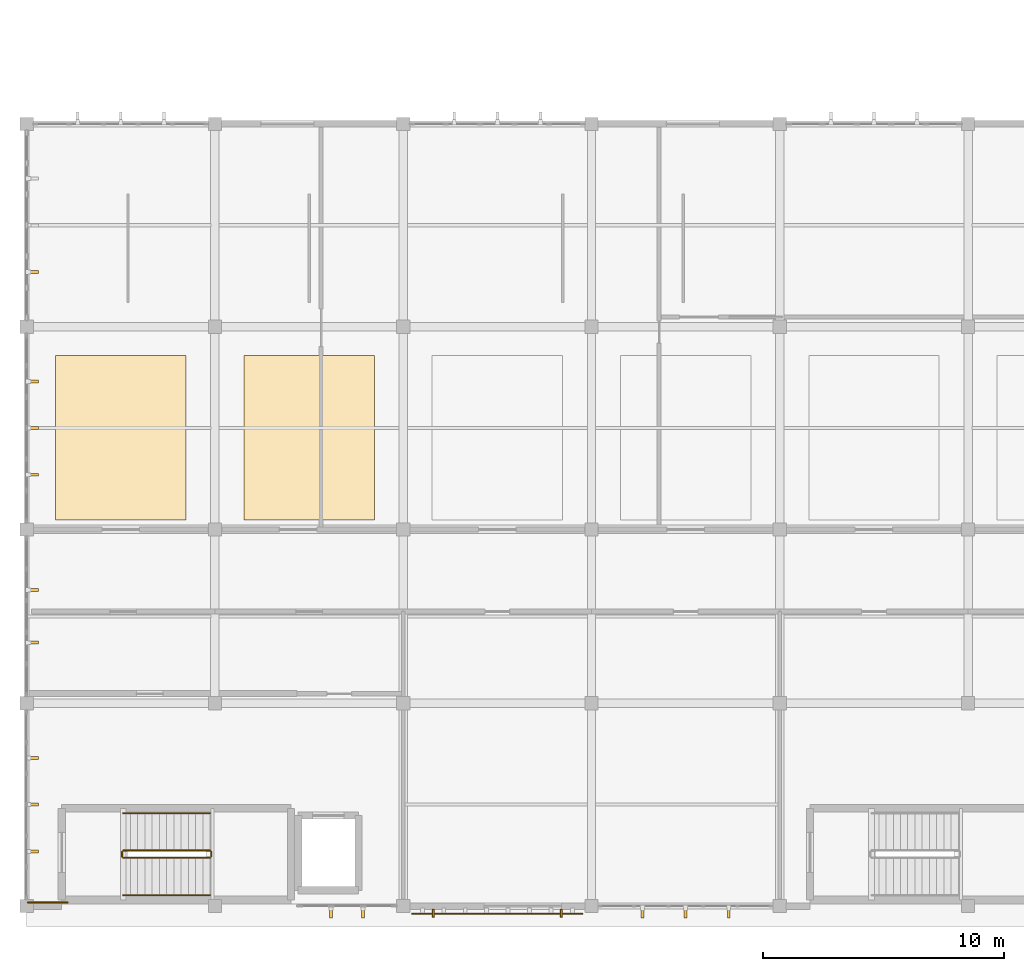
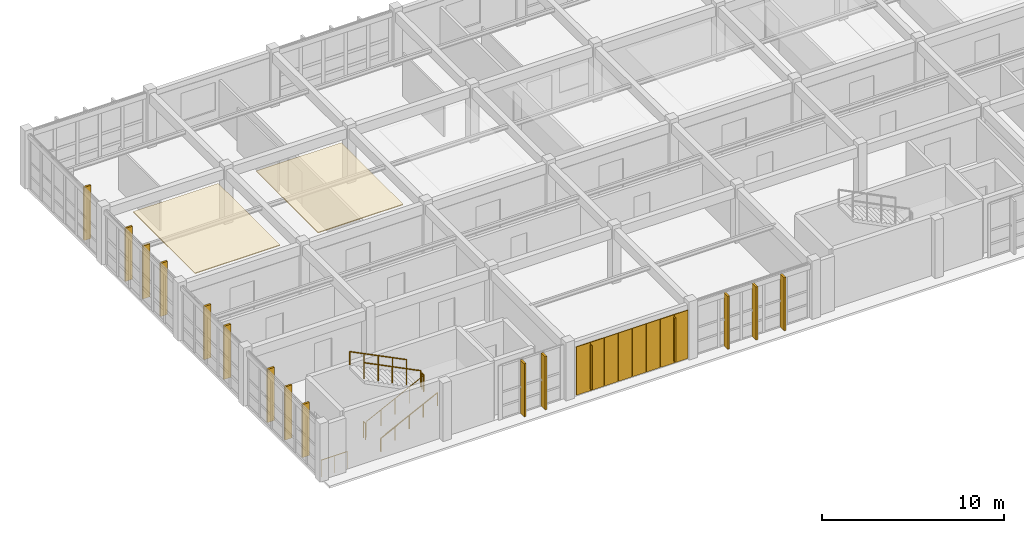
# One storey, part 29 of 35: 24 coverings, 7 railings, 2 shading devices.
"""IFC4 building model written with IfcOpenShell, lengths in metres."""

from ifc_helpers import new_model, si_unit, direction, frame, origin, origin_2d, place, context, subcontext, project, spatial, polyline, rectangle, circle, outline, extrude, material, layer, layer_set, type_object, element, save


model = new_model("IFC4")

# Units and contexts
model_context = context("Model", 3, precision=1e-05, world=origin(), true_north=direction((0.0, 1.0)))
body_context = subcontext(model_context, "Body", "Model", "MODEL_VIEW")
ifc_project = project(units=[si_unit("LENGTHUNIT", "METRE"), si_unit("AREAUNIT", "SQUARE_METRE"), si_unit("VOLUMEUNIT", "CUBIC_METRE"), si_unit("PLANEANGLEUNIT", "RADIAN"), si_unit("MASSUNIT", "GRAM", prefix="KILO")], contexts=[model_context])

# Site, building, storey
site_placement = place(None, origin())
site = spatial("IfcSite", under=ifc_project, at=site_placement, CompositionType="ELEMENT")
building_placement = place(site_placement, origin())
building = spatial("IfcBuilding", under=site, at=building_placement, Name="Tizgana Railside Sports Hall", CompositionType="ELEMENT")
storey_placement = place(building_placement, frame((0.0, 0.0, 15.89990234375)))
storey = spatial("IfcBuildingStorey", under=building, at=storey_placement, Name="L03", CompositionType="ELEMENT", Elevation=15.89990234375)

# Shading devices
ifc_material_1 = material(Name="Glulam GL28h", Category="wood")
shading_device_type = type_object("IfcShadingDeviceType", Name="Glulam Vertical Brise-Soleil Fin 320", PredefinedType="JALOUSIE", material=ifc_material_1)
for number, where, z_axis, x_axis, name in (
    (1, (29.949951171875, -0.2939453125, 0.35009765625), (0.0, 0.0, 1.0), (-1.0, 0.0, 0.0), "L03 Glulam Fin FIN-0047"),
    (2, (24.64990234375, -0.2939453125, 0.35009765625), (0.0, 0.0, 1.0), (-1.0, 0.0, 0.0), "L03 Glulam Fin FIN-0048"),
):
    element("IfcShadingDevice", number, at=place(storey_placement, frame(where, z_axis=z_axis, x_axis=x_axis)), inside=storey, type_object=shading_device_type, Name=name, PredefinedType="JALOUSIE", context=body_context, shape_type="SweptSolid", body=[
        extrude(rectangle(XDim=0.080078125, YDim=0.320068359375, at=origin_2d()), origin(), (0.0, 0.0, 1.0), 2.93994140625),
    ])

# Coverings
ifc_layer_1 = layer(ifc_material_1, 0.139892578125, Name="Glulam GL28h")
ifc_layer_set_1 = layer_set([ifc_layer_1], Name="Glulam GL28h")
covering_type_1 = type_object("IfcCoveringType", Name="Mass-Timber Brise-Soleil & Pergola Fin", PredefinedType="CLADDING", material=ifc_layer_set_1)
for number, where, z_axis, x_axis, name in (
    (3, (21.739990234375, -0.280029296875, 0.0400390625), (0.0, 0.0, 1.0), (-1.0, 0.0, 0.0), "L03 Timber Brise-Soleil Fin"),
    (4, (20.409912109375, -0.280029296875, 0.0400390625), (0.0, 0.0, 1.0), (-1.0, 0.0, 0.0), "L03 Timber Brise-Soleil Fin"),
    (5, (36.885009765625, -0.280029296875, 0.0400390625), (0.0, 0.0, 1.0), (-1.0, 0.0, 0.0), "L03 Timber Brise-Soleil Fin"),
    (6, (35.10009765625, -0.280029296875, 0.0400390625), (0.0, 0.0, 1.0), (-1.0, 0.0, 0.0), "L03 Timber Brise-Soleil Fin"),
    (7, (33.31494140625, -0.280029296875, 0.0400390625), (0.0, 0.0, 1.0), (-1.0, 0.0, 0.0), "L03 Timber Brise-Soleil Fin"),
    (8, (8.080078125, 6.135009765625, 0.0400390625), (0.0, 0.0, 1.0), (0.0, -1.0, 0.0), "L03 Timber Brise-Soleil Fin"),
    (9, (8.080078125, 4.199951171875, 0.0400390625), (0.0, 0.0, 1.0), (0.0, -1.0, 0.0), "L03 Timber Brise-Soleil Fin"),
    (10, (8.080078125, 2.264892578125, 0.0400390625), (0.0, 0.0, 1.0), (0.0, -1.0, 0.0), "L03 Timber Brise-Soleil Fin"),
    (11, (8.080078125, 13.090087890625, 0.0400390625), (0.0, 0.0, 1.0), (0.0, -1.0, 0.0), "L03 Timber Brise-Soleil Fin"),
    (12, (8.080078125, 10.909912109375, 0.0400390625), (0.0, 0.0, 1.0), (0.0, -1.0, 0.0), "L03 Timber Brise-Soleil Fin"),
    (13, (8.080078125, 21.735107421875, 0.0400390625), (0.0, 0.0, 1.0), (0.0, -1.0, 0.0), "L03 Timber Brise-Soleil Fin"),
    (14, (8.080078125, 19.800048828125, 0.0400390625), (0.0, 0.0, 1.0), (0.0, -1.0, 0.0), "L03 Timber Brise-Soleil Fin"),
    (15, (8.080078125, 17.864990234375, 0.0400390625), (0.0, 0.0, 1.0), (0.0, -1.0, 0.0), "L03 Timber Brise-Soleil Fin"),
    (16, (8.080078125, 26.264892578125, 0.0400390625), (0.0, 0.0, 1.0), (0.0, -1.0, 0.0), "L03 Timber Brise-Soleil Fin"),
):
    element("IfcCovering", number, at=place(storey_placement, frame(where, z_axis=z_axis, x_axis=x_axis)), inside=storey, type_object=covering_type_1, Name=name, PredefinedType="CLADDING", context=body_context, shape_type="SweptSolid", body=[
        extrude(rectangle(XDim=0.1201171875, YDim=0.43994140625, at=origin_2d()), origin(), (0.0, 0.0, 1.0), 3.56005859375),
    ])
ifc_material_2 = material(Name="Anodised perforated aluminium screen", Category="aluminium")
ifc_layer_2 = layer(ifc_material_2, 0.044921875, Name="Anodised perforated aluminium screen")
ifc_layer_set_2 = layer_set([ifc_layer_2], Name="Anodised perforated aluminium screen")
covering_type_2 = type_object("IfcCoveringType", Name="Perforated Aluminium Hall Screen 900", PredefinedType="CLADDING", material=ifc_layer_set_2)
for number, where, z_axis, x_axis, name in (
    (17, (30.40625, -0.31494140625, 0.2001953125), (0.0, 0.0, 1.0), (-1.0, 0.0, 0.0), "L03 Perforated Screen SCR-0589"),
    (18, (29.518798828125, -0.31494140625, 0.2001953125), (0.0, 0.0, 1.0), (-1.0, 0.0, 0.0), "L03 Perforated Screen SCR-0590"),
    (19, (28.631103515625, -0.31494140625, 0.2001953125), (0.0, 0.0, 1.0), (-1.0, 0.0, 0.0), "L03 Perforated Screen SCR-0591"),
    (20, (27.74365234375, -0.31494140625, 0.2001953125), (0.0, 0.0, 1.0), (-1.0, 0.0, 0.0), "L03 Perforated Screen SCR-0592"),
    (21, (26.856201171875, -0.31494140625, 0.2001953125), (0.0, 0.0, 1.0), (-1.0, 0.0, 0.0), "L03 Perforated Screen SCR-0593"),
    (22, (25.96875, -0.31494140625, 0.2001953125), (0.0, 0.0, 1.0), (-1.0, 0.0, 0.0), "L03 Perforated Screen SCR-0594"),
    (23, (25.081298828125, -0.31494140625, 0.2001953125), (0.0, 0.0, 1.0), (-1.0, 0.0, 0.0), "L03 Perforated Screen SCR-0595"),
    (24, (24.19384765625, -0.31494140625, 0.2001953125), (0.0, 0.0, 1.0), (-1.0, 0.0, 0.0), "L03 Perforated Screen SCR-0596"),
):
    element("IfcCovering", number, at=place(storey_placement, frame(where, z_axis=z_axis, x_axis=x_axis)), inside=storey, type_object=covering_type_2, Name=name, PredefinedType="CLADDING", context=body_context, shape_type="SweptSolid", body=[
        extrude(rectangle(XDim=0.869384765625, YDim=0.044921875, at=origin_2d()), origin(), (0.0, 0.0, 1.0), 3.239990234375),
    ])

# Railings
ifc_material_3 = material(Name="Galvanised steel sheet", Category="steel")
railing_type_1 = type_object("IfcRailingType", Name="Safety Balustrade Guard 1100", PredefinedType="BALUSTRADE", material=ifc_material_3)
railing_1_placement = place(storey_placement, frame((11.800048828125, 2.0, 0.150146484375)))
element("IfcRailing", 25, at=railing_1_placement, inside=storey, type_object=railing_type_1, Name="L03 ST-01 stair guard 1", PredefinedType="BALUSTRADE", context=body_context, shape_type="SweptSolid", body=[
    extrude(circle(Radius=0.02392578125, at=origin_2d()), frame((0.0, 0.0, 1.076171875), z_axis=(0.894415058897, 0.0, 0.447237858884), x_axis=(0.0, 1.0, 0.0)), (0.0, 0.0, 1.0), 4.02490234375),
    extrude(circle(Radius=0.02099609375, at=origin_2d()), origin(), (0.0, 0.0, 1.0), 1.052001953125),
    extrude(circle(Radius=0.02099609375, at=origin_2d()), frame((0.89990234375, 0.0, 0.449951171875)), (0.0, 0.0, 1.0), 1.052001953125),
    extrude(circle(Radius=0.02099609375, at=origin_2d()), frame((1.7998046875, 0.0, 0.89990234375)), (0.0, 0.0, 1.0), 1.052001953125),
    extrude(circle(Radius=0.02099609375, at=origin_2d()), frame((2.699951171875, 0.0, 1.35009765625)), (0.0, 0.0, 1.0), 1.052001953125),
    extrude(circle(Radius=0.02099609375, at=origin_2d()), frame((3.599853515625, 0.0, 1.800048828125)), (0.0, 0.0, 1.0), 1.052001953125),
])
railing_2_placement = place(storey_placement, frame((15.449951171875, 2.050048828125, 1.9501953125)))
element("IfcRailing", 26, at=railing_2_placement, inside=storey, type_object=railing_type_1, Name="L03 ST-01 stair guard 2", PredefinedType="BALUSTRADE", context=body_context, shape_type="SweptSolid", body=[
    extrude(circle(Radius=0.02392578125, at=origin_2d()), frame((0.0, 0.0, 1.076171875), z_axis=(0.0, 1.0, 0.0), x_axis=(-1.0, 0.0, 0.0)), (0.0, 0.0, 1.0), 0.199951171875),
    extrude(circle(Radius=0.02099609375, at=origin_2d()), origin(), (0.0, 0.0, 1.0), 1.052001953125),
    extrude(circle(Radius=0.02099609375, at=origin_2d()), frame((0.0, 0.199951171875, 0.0)), (0.0, 0.0, 1.0), 1.052001953125),
])
railing_3_placement = place(storey_placement, frame((15.39990234375, 2.300048828125, 2.10009765625)))
element("IfcRailing", 27, at=railing_3_placement, inside=storey, type_object=railing_type_1, Name="L03 ST-01 stair guard 3", PredefinedType="BALUSTRADE", context=body_context, shape_type="SweptSolid", body=[
    extrude(circle(Radius=0.02392578125, at=origin_2d()), frame((0.0, 0.0, 1.076171875), z_axis=(-0.894415058897, 0.0, 0.447237858884), x_axis=(0.0, -1.0, 0.0)), (0.0, 0.0, 1.0), 4.02490234375),
    extrude(circle(Radius=0.02099609375, at=origin_2d()), origin(), (0.0, 0.0, 1.0), 1.052001953125),
    extrude(circle(Radius=0.02099609375, at=origin_2d()), frame((-0.89990234375, 0.0, 0.449951171875)), (0.0, 0.0, 1.0), 1.052001953125),
    extrude(circle(Radius=0.02099609375, at=origin_2d()), frame((-1.7998046875, 0.0, 0.89990234375)), (0.0, 0.0, 1.0), 1.052001953125),
    extrude(circle(Radius=0.02099609375, at=origin_2d()), frame((-2.699951171875, 0.0, 1.35009765625)), (0.0, 0.0, 1.0), 1.052001953125),
    extrude(circle(Radius=0.02099609375, at=origin_2d()), frame((-3.599853515625, 0.0, 1.800048828125)), (0.0, 0.0, 1.0), 1.052001953125),
])
railing_4_placement = place(storey_placement, frame((11.75, 2.050048828125, 0.0)))
element("IfcRailing", 28, at=railing_4_placement, inside=storey, type_object=railing_type_1, Name="L03 ST-01 stair guard 4", PredefinedType="BALUSTRADE", context=body_context, shape_type="SweptSolid", body=[
    extrude(circle(Radius=0.02392578125, at=origin_2d()), frame((0.0, 0.0, 1.076171875), z_axis=(0.0, 1.0, 0.0), x_axis=(-1.0, 0.0, 0.0)), (0.0, 0.0, 1.0), 0.199951171875),
    extrude(circle(Radius=0.02099609375, at=origin_2d()), origin(), (0.0, 0.0, 1.0), 1.052001953125),
    extrude(circle(Radius=0.02099609375, at=origin_2d()), frame((0.0, 0.199951171875, 0.0)), (0.0, 0.0, 1.0), 1.052001953125),
])

# Coverings
ifc_material_4 = material(Name="Acoustic perforated timber", Category="wood")
ifc_layer_3 = layer(ifc_material_4, 0.054931640625, Name="Acoustic perforated timber")
ifc_layer_set_3 = layer_set([ifc_layer_3], Name="Acoustic perforated timber")
covering_type_3 = type_object("IfcCoveringType", Name="Slatted Timber Acoustic Hall Ceiling", PredefinedType="CEILING", material=ifc_layer_set_3)
covering_1_placement = place(storey_placement, frame((0.0, 0.0, 3.60009765625)))
element("IfcCovering", 29, at=covering_1_placement, inside=storey, type_object=covering_type_3, Name="L03 Acoustic Ceiling CLG-0021", PredefinedType="CEILING", context=body_context, shape_type="SweptSolid", body=[
    extrude(outline(polyline([(9.0, 16.0), (14.39990234375, 16.0), (14.39990234375, 22.800048828125), (9.0, 22.800048828125), (9.0, 16.0)])), origin(), (0.0, 0.0, 1.0), 0.054931640625),
])
covering_2_placement = place(storey_placement, frame((0.0, 0.0, 3.60009765625)))
element("IfcCovering", 30, at=covering_2_placement, inside=storey, type_object=covering_type_3, Name="L03 Acoustic Ceiling CLG-0022", PredefinedType="CEILING", context=body_context, shape_type="SweptSolid", body=[
    extrude(outline(polyline([(16.800048828125, 16.0), (22.199951171875, 16.0), (22.199951171875, 22.800048828125), (16.800048828125, 22.800048828125), (16.800048828125, 16.0)])), origin(), (0.0, 0.0, 1.0), 0.054931640625),
])

# Railings
ifc_material_5 = material(Name="Brushed stainless steel", Category="steel")
railing_type_2 = type_object("IfcRailingType", Name="Stair & Ramp Wall Handrail 900", PredefinedType="HANDRAIL", material=ifc_material_5)
railing_5_placement = place(storey_placement, frame((11.800048828125, 0.449951171875, 0.150146484375)))
element("IfcRailing", 31, at=railing_5_placement, inside=storey, type_object=railing_type_2, Name="L03 ST-01 stair handrail 1", PredefinedType="HANDRAIL", context=body_context, shape_type="SweptSolid", body=[
    extrude(circle(Radius=0.02392578125, at=origin_2d()), frame((0.0, 0.0, 0.8759765625), z_axis=(0.894415058897, 0.0, 0.447237858884), x_axis=(0.0, 1.0, 0.0)), (0.0, 0.0, 1.0), 4.02490234375),
    extrude(circle(Radius=0.02099609375, at=origin_2d()), origin(), (0.0, 0.0, 1.0), 0.851806640625),
    extrude(circle(Radius=0.02099609375, at=origin_2d()), frame((0.89990234375, 0.0, 0.449951171875)), (0.0, 0.0, 1.0), 0.851806640625),
    extrude(circle(Radius=0.02099609375, at=origin_2d()), frame((1.7998046875, 0.0, 0.89990234375)), (0.0, 0.0, 1.0), 0.851806640625),
    extrude(circle(Radius=0.02099609375, at=origin_2d()), frame((2.699951171875, 0.0, 1.35009765625)), (0.0, 0.0, 1.0), 0.851806640625),
    extrude(circle(Radius=0.02099609375, at=origin_2d()), frame((3.599853515625, 0.0, 1.800048828125)), (0.0, 0.0, 1.0), 0.851806640625),
])
railing_6_placement = place(storey_placement, frame((15.39990234375, 3.85009765625, 2.10009765625)))
element("IfcRailing", 32, at=railing_6_placement, inside=storey, type_object=railing_type_2, Name="L03 ST-01 stair handrail 2", PredefinedType="HANDRAIL", context=body_context, shape_type="SweptSolid", body=[
    extrude(circle(Radius=0.02392578125, at=origin_2d()), frame((0.0, 0.0, 0.8759765625), z_axis=(-0.894415058897, 0.0, 0.447237858884), x_axis=(0.0, -1.0, 0.0)), (0.0, 0.0, 1.0), 4.02490234375),
    extrude(circle(Radius=0.02099609375, at=origin_2d()), origin(), (0.0, 0.0, 1.0), 0.851806640625),
    extrude(circle(Radius=0.02099609375, at=origin_2d()), frame((-0.89990234375, 0.0, 0.449951171875)), (0.0, 0.0, 1.0), 0.851806640625),
    extrude(circle(Radius=0.02099609375, at=origin_2d()), frame((-1.7998046875, 0.0, 0.89990234375)), (0.0, 0.0, 1.0), 0.851806640625),
    extrude(circle(Radius=0.02099609375, at=origin_2d()), frame((-2.699951171875, 0.0, 1.35009765625)), (0.0, 0.0, 1.0), 0.851806640625),
    extrude(circle(Radius=0.02099609375, at=origin_2d()), frame((-3.599853515625, 0.0, 1.800048828125)), (0.0, 0.0, 1.0), 0.851806640625),
])
ifc_material_6 = material(Name="Anodised aluminium", Category="aluminium")
railing_type_3 = type_object("IfcRailingType", Name="Terrace & Track Guard 1150", PredefinedType="BALUSTRADE", material=ifc_material_6)
railing_7_placement = place(storey_placement, frame((7.85009765625, 0.14990234375, 0.0)))
element("IfcRailing", 33, at=railing_7_placement, inside=storey, type_object=railing_type_3, Name="L03 Safety Guard GRD-0027", PredefinedType="BALUSTRADE", context=body_context, shape_type="SweptSolid", body=[
    extrude(circle(Radius=0.02392578125, at=origin_2d()), frame((0.0, 0.0, 1.1259765625), z_axis=(1.0, 0.0, 0.0), x_axis=(0.0, 1.0, 0.0)), (0.0, 0.0, 1.0), 1.64990234375),
    extrude(circle(Radius=0.02099609375, at=origin_2d()), origin(), (0.0, 0.0, 1.0), 1.101806640625),
    extrude(circle(Radius=0.02099609375, at=origin_2d()), frame((0.824951171875, 0.0, 0.0)), (0.0, 0.0, 1.0), 1.101806640625),
    extrude(circle(Radius=0.02099609375, at=origin_2d()), frame((1.64990234375, 0.0, 0.0)), (0.0, 0.0, 1.0), 1.101806640625),
])

save(model, "model.ifc")
